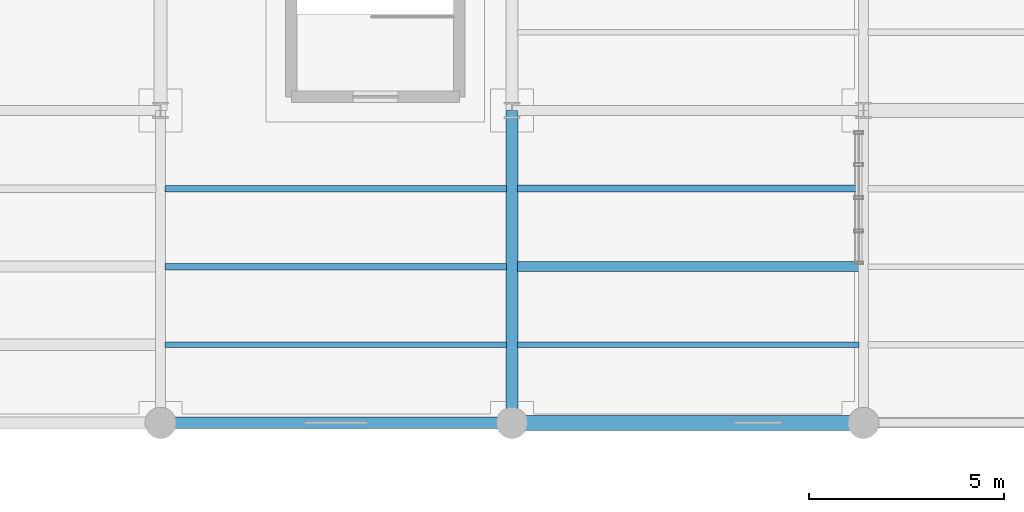
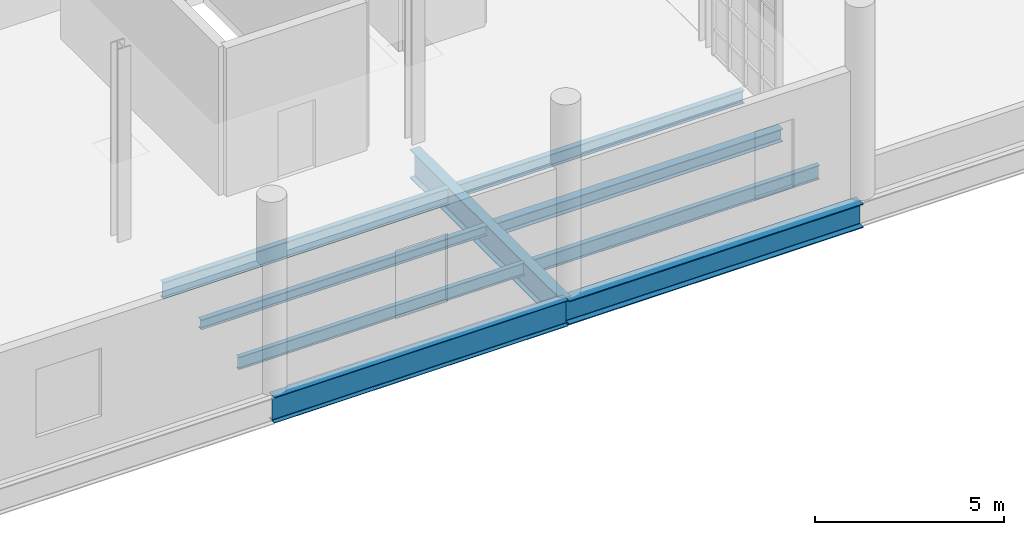
# One storey, part 32 of 118: 9 beams.
"""IFC4 building model written with IfcOpenShell, lengths in metres."""

import ifcopenshell
import ifcopenshell.guid

model = None  # the IFC model being written
_history = None  # IfcOwnerHistory: only IFC2X3 demands one
_inside = {}  # id of a spatial element -> (the spatial element, [elements in it])
_under = {}  # id of a project, library or spatial element -> (it, [spatial elements below it])
_declared = {}  # id of a project -> (the project, [libraries it declares])
_typed = {}  # id of a type object -> (the type object, [elements of that type])
_made_of = {}  # id of a material, layer set ... -> (it, [elements and type objects made of it])


def new_model(schema):
    """Start an empty IFC model of exactly this schema.

    Asked for "IFC4X3", IfcOpenShell would pick the latest addendum, in which some entities
    have other attributes; the version numbers below select the first issue.
    IFC2X3 requires an IfcOwnerHistory on every rooted entity: one is made here for all.
    """
    global model, _history
    if schema == "IFC4X3":
        model = ifcopenshell.file(schema_version=(4, 3, 0, 0))
    else:
        model = ifcopenshell.file(schema=schema)
    _inside.clear()
    _under.clear()
    _declared.clear()
    _typed.clear()
    _made_of.clear()
    _history = None
    if model.schema == "IFC2X3":
        org = make("IfcOrganization", Name="unknown")
        user = make(
            "IfcPersonAndOrganization",
            ThePerson=make("IfcPerson", FamilyName="unknown"),
            TheOrganization=org,
        )
        app = make(
            "IfcApplication",
            ApplicationDeveloper=org,
            Version="unknown",
            ApplicationFullName="unknown",
            ApplicationIdentifier="unknown",
        )
        _history = make(
            "IfcOwnerHistory",
            OwningUser=user,
            OwningApplication=app,
            ChangeAction="ADDED",
            CreationDate=0,
        )
    return model


def make(cls, **values):
    """One entity of the class cls with the attributes given. An attribute that is None is left unset."""
    return model.create_entity(
        cls, **{name: value for name, value in values.items() if value is not None}
    )


def rooted(cls, **values):
    """An entity with a GlobalId (a new one), such as an element, a storey or a relation."""
    return make(cls, GlobalId=ifcopenshell.guid.new(), OwnerHistory=_history, **values)


def si_unit(unit_type, name, prefix=None):
    """IfcSIUnit, for example si_unit("LENGTHUNIT", "METRE", prefix="MILLI")."""
    return make("IfcSIUnit", UnitType=unit_type, Prefix=prefix, Name=name)


def assignment(units):
    """IfcUnitAssignment: the units of a project."""
    return None if units is None else make("IfcUnitAssignment", Units=units)


def point(xyz):
    """IfcCartesianPoint."""
    return None if xyz is None else make("IfcCartesianPoint", Coordinates=xyz)


def direction(xyz):
    """IfcDirection."""
    return None if xyz is None else make("IfcDirection", DirectionRatios=xyz)


def frame(location, z_axis=None, x_axis=None):
    """IfcAxis2Placement3D, a coordinate frame: its origin and axes. An axis left out is left unset."""
    return make(
        "IfcAxis2Placement3D",
        Location=point(location),
        Axis=direction(z_axis),
        RefDirection=direction(x_axis),
    )


def frame_2d(location, x_axis=None):
    """IfcAxis2Placement2D, a coordinate frame in the plane: its origin and x axis."""
    return make(
        "IfcAxis2Placement2D", Location=point(location), RefDirection=direction(x_axis)
    )


def origin():
    """The frame at (0, 0, 0) with its axes left unset."""
    return frame((0.0, 0.0, 0.0))


def origin_2d():
    """The frame at (0, 0) in the plane with its x axis left unset."""
    return frame_2d((0.0, 0.0))


def place(relative_to, where):
    """IfcLocalPlacement: puts the frame where relative to a parent placement (None: the world)."""
    return make(
        "IfcLocalPlacement", PlacementRelTo=relative_to, RelativePlacement=where
    )


def context(
    kind, dimensions, precision=None, world=None, true_north=None, identifier=None
):
    """IfcGeometricRepresentationContext, for example the 3D "Model" context."""
    return make(
        "IfcGeometricRepresentationContext",
        ContextIdentifier=identifier,
        ContextType=kind,
        CoordinateSpaceDimension=dimensions,
        Precision=precision,
        WorldCoordinateSystem=world,
        TrueNorth=true_north,
    )


def subcontext(parent, identifier, kind, view, scale=None):
    """IfcGeometricRepresentationSubContext, for example "Body" below "Model"."""
    return make(
        "IfcGeometricRepresentationSubContext",
        ContextIdentifier=identifier,
        ContextType=kind,
        ParentContext=parent,
        TargetScale=scale,
        TargetView=view,
    )


def project(units=None, contexts=None):
    """IfcProject with its units and contexts."""
    return rooted(
        "IfcProject",
        Name="project",
        RepresentationContexts=contexts,
        UnitsInContext=assignment(units),
    )


def spatial(cls, under=None, at=None, **own):
    """A site, building, storey or space (cls), placed at a placement, below another one or the project."""
    s = rooted(cls, ObjectPlacement=at, **own)
    if under is not None:
        _under.setdefault(under.id(), (under, []))[1].append(s)
    return s


def profile(cls, at=None, kind="AREA", **sizes):
    """A parametric profile (cls). Its sizes go by their IFC names, for example OverallWidth=200.0."""
    return make(cls, ProfileType=kind, Position=at, **sizes)


def i_section(**sizes):
    """IfcIShapeProfileDef."""
    return profile("IfcIShapeProfileDef", **sizes)


def extrude(swept, where, along, depth):
    """IfcExtrudedAreaSolid: the profile swept, set in the frame where, extruded along a direction by depth."""
    return make(
        "IfcExtrudedAreaSolid",
        SweptArea=swept,
        Position=where,
        ExtrudedDirection=direction(along),
        Depth=depth,
    )


def shape(context_of_items, identifier, shape_type, items):
    """IfcShapeRepresentation: the items that make up one representation, for example the "Body"."""
    return make(
        "IfcShapeRepresentation",
        ContextOfItems=context_of_items,
        RepresentationIdentifier=identifier,
        RepresentationType=shape_type,
        Items=items,
    )


def material(Name=None, Category=None):
    """IfcMaterial."""
    return make("IfcMaterial", Name=Name, Category=Category)


def material_profile(
    of_material, cross_section, Name=None, Category=None, Priority=None
):
    """IfcMaterialProfile: a cross section and its material."""
    return make(
        "IfcMaterialProfile",
        Name=Name,
        Material=of_material,
        Profile=cross_section,
        Priority=Priority,
        Category=Category,
    )


def profile_set(profiles, Name=None, composite=None):
    """IfcMaterialProfileSet."""
    return make(
        "IfcMaterialProfileSet",
        Name=Name,
        MaterialProfiles=profiles,
        CompositeProfile=composite,
    )


def made_of(thing, what):
    """Note that an element or type object is made of a material, layer set ...; save() writes the relation."""
    if what is not None:
        _made_of.setdefault(what.id(), (what, []))[1].append(thing)
    return thing


def type_object(cls, material=None, **own):
    """A type object (cls), such as IfcWallType, which elements share."""
    return made_of(rooted(cls, **own), material)


def element(
    cls,
    number,
    at=None,
    inside=None,
    cuts=None,
    type_object=None,
    material=None,
    context=None,
    identifier="Body",
    shape_type=None,
    held_by="IfcProductDefinitionShape",
    body=None,
    shapes=None,
    **own,
):
    """One element of the class cls, such as IfcWall. Its Tag is "e" and its number.

    at: its placement. inside: the storey or other place that contains it. cuts: it is an
    opening in that element (IfcRelVoidsElement). A single representation is given by context,
    identifier, shape_type and body (its items); several are given by shapes. held_by: the class
    of the entity that holds the representations. save() writes the other relations.
    """
    e = rooted(cls, Tag="e%d" % number, ObjectPlacement=at, **own)
    if body is not None:
        shapes = [shape(context, identifier, shape_type, body)]
    if shapes is not None:
        e.Representation = make(held_by, Representations=shapes)
    if inside is not None:
        _inside.setdefault(inside.id(), (inside, []))[1].append(e)
    if cuts is not None:
        rooted(
            "IfcRelVoidsElement", RelatingBuildingElement=cuts, RelatedOpeningElement=e
        )
    if type_object is not None:
        _typed.setdefault(type_object.id(), (type_object, []))[1].append(e)
    return made_of(e, material)


def aggregate(whole, parts):
    """IfcRelAggregates: a whole, such as a stair, and the parts it consists of."""
    return rooted("IfcRelAggregates", RelatingObject=whole, RelatedObjects=parts)


def save(model, path):
    """Write the relations noted so far, then the file.

    IfcRelAggregates (storeys below a building ...), IfcRelContainedInSpatialStructure (elements
    in a storey), IfcRelDefinesByType, IfcRelAssociatesMaterial and IfcRelDeclares: one each for
    every whole, place, type object, material and project.
    """
    for whole, parts in _under.values():
        aggregate(whole, parts)
    for where, things in _inside.values():
        rooted(
            "IfcRelContainedInSpatialStructure",
            RelatedElements=things,
            RelatingStructure=where,
        )
    for kind, things in _typed.values():
        rooted("IfcRelDefinesByType", RelatedObjects=things, RelatingType=kind)
    for what, things in _made_of.values():
        rooted("IfcRelAssociatesMaterial", RelatedObjects=things, RelatingMaterial=what)
    for by, libraries in _declared.values():
        rooted("IfcRelDeclares", RelatingContext=by, RelatedDefinitions=libraries)
    model.write(path)


model = new_model("IFC4")

# Units and contexts
model_context = context("Model", 3, precision=1e-05, world=origin(), true_north=direction((0.0, 1.0)))
body_context = subcontext(model_context, "Body", "Model", "MODEL_VIEW")
ifc_project = project(units=[si_unit("LENGTHUNIT", "METRE"), si_unit("AREAUNIT", "SQUARE_METRE"), si_unit("VOLUMEUNIT", "CUBIC_METRE"), si_unit("PLANEANGLEUNIT", "RADIAN"), si_unit("MASSUNIT", "GRAM", prefix="KILO"), si_unit("THERMODYNAMICTEMPERATUREUNIT", "KELVIN"), si_unit("POWERUNIT", "WATT")], contexts=[model_context])

# Site, building, storey
site_placement = place(None, origin())
site = spatial("IfcSite", under=ifc_project, at=site_placement, CompositionType="ELEMENT")
building_placement = place(site_placement, origin())
building = spatial("IfcBuilding", under=site, at=building_placement, Name="Zelmaris Science Centre", CompositionType="ELEMENT")
storey_placement = place(building_placement, frame((0.0, 0.0, 15.60009765625)))
storey = spatial("IfcBuildingStorey", under=building, at=storey_placement, Name="L03", CompositionType="ELEMENT", Elevation=15.60009765625)

# Beams
ifc_material = material(Name="Steel ASTM A992 Grade 50", Category="steel")
ifc_material_profile_1 = material_profile(ifc_material, i_section(OverallWidth=0.306884765625, OverallDepth=0.927001953125, WebThickness=0.019287109375, FlangeThickness=0.031982421875, FilletRadius=0.02392578125, at=origin_2d()), Name="W36X194")
ifc_profile_set_1 = profile_set([ifc_material_profile_1], Name="Steel ASTM A992 Grade 50")
beam_type_1 = type_object("IfcBeamType", Name="Beam G-03 W36X194", PredefinedType="BEAM", material=ifc_profile_set_1)
beam_1_placement = place(storey_placement, frame((126.0, 8.0, -0.7236328125), z_axis=(0.0, 1.0, 0.0), x_axis=(-1.0, 0.0, 0.0)))
element("IfcBeam", 1, at=beam_1_placement, inside=storey, type_object=beam_type_1, Name="L03 North-south girder 713", PredefinedType="BEAM", context=body_context, shape_type="SweptSolid", body=[
    extrude(i_section(OverallWidth=0.306884765625, OverallDepth=0.927001953125, WebThickness=0.019287109375, FlangeThickness=0.031982421875, FilletRadius=0.02392578125, at=origin_2d()), origin(), (0.0, 0.0, 1.0), 8.0),
])
ifc_material_profile_2 = material_profile(ifc_material, i_section(OverallWidth=0.2919921875, OverallDepth=0.8359375, WebThickness=0.013916015625, FlangeThickness=0.018798828125, FilletRadius=0.02001953125, at=origin_2d()), Name="W33X118")
ifc_profile_set_2 = profile_set([ifc_material_profile_2], Name="Steel ASTM A992 Grade 50")
beam_type_2 = type_object("IfcBeamType", Name="Beam G-30 W33X118", PredefinedType="BEAM", material=ifc_profile_set_2)
beam_2_placement = place(storey_placement, frame((117.0, 8.0, -0.677978515625), z_axis=(1.0, 0.0, 0.0), x_axis=(0.0, 1.0, 0.0)))
element("IfcBeam", 2, at=beam_2_placement, inside=storey, type_object=beam_type_2, Name="L03 East-west girder 732", PredefinedType="BEAM", context=body_context, shape_type="SweptSolid", body=[
    extrude(i_section(OverallWidth=0.2919921875, OverallDepth=0.8359375, WebThickness=0.013916015625, FlangeThickness=0.018798828125, FilletRadius=0.02001953125, at=origin_2d()), origin(), (0.0, 0.0, 1.0), 9.0),
])
ifc_material_profile_3 = material_profile(ifc_material, i_section(OverallWidth=0.381103515625, OverallDepth=0.777099609375, WebThickness=0.01806640625, FlangeThickness=0.030029296875, FilletRadius=0.01904296875, at=origin_2d()), Name="W30X191")
ifc_profile_set_3 = profile_set([ifc_material_profile_3], Name="Steel ASTM A992 Grade 50")
beam_type_3 = type_object("IfcBeamType", Name="Beam G-31 W30X191", PredefinedType="BEAM", material=ifc_profile_set_3)
beam_3_placement = place(storey_placement, frame((126.0, 8.0, -0.648681640625), z_axis=(1.0, 0.0, 0.0), x_axis=(0.0, 1.0, 0.0)))
element("IfcBeam", 3, at=beam_3_placement, inside=storey, type_object=beam_type_3, Name="L03 East-west girder 733", PredefinedType="BEAM", context=body_context, shape_type="SweptSolid", body=[
    extrude(i_section(OverallWidth=0.381103515625, OverallDepth=0.777099609375, WebThickness=0.01806640625, FlangeThickness=0.030029296875, FilletRadius=0.01904296875, at=origin_2d()), origin(), (0.0, 0.0, 1.0), 9.0),
])
ifc_material_profile_4 = material_profile(ifc_material, i_section(OverallWidth=0.16796875, OverallDepth=0.532958984375, WebThickness=0.01025390625, FlangeThickness=0.0166015625, FilletRadius=0.013916015625, at=origin_2d()), Name="W21X57")
ifc_profile_set_4 = profile_set([ifc_material_profile_4], Name="Steel ASTM A992 Grade 50")
beam_type_4 = type_object("IfcBeamType", Name="Beam J-01 W21X57", PredefinedType="JOIST", material=ifc_profile_set_4)
beam_4_placement = place(storey_placement, frame((117.112060546875, 14.0, -0.526611328125), z_axis=(1.0, 0.0, 0.0), x_axis=(0.0, 1.0, 0.0)))
element("IfcBeam", 4, at=beam_4_placement, inside=storey, type_object=beam_type_4, Name="L03 Composite floor joist 351", PredefinedType="JOIST", context=body_context, shape_type="SweptSolid", body=[
    extrude(i_section(OverallWidth=0.16796875, OverallDepth=0.532958984375, WebThickness=0.01025390625, FlangeThickness=0.0166015625, FilletRadius=0.013916015625, at=origin_2d()), origin(), (0.0, 0.0, 1.0), 8.74951171875),
])
ifc_material_profile_5 = material_profile(ifc_material, i_section(OverallWidth=0.152099609375, OverallDepth=0.455078125, WebThickness=0.008056640625, FlangeThickness=0.01318359375, FilletRadius=0.012939453125, at=origin_2d()), Name="W18X40")
ifc_profile_set_5 = profile_set([ifc_material_profile_5], Name="Steel ASTM A992 Grade 50")
beam_type_5 = type_object("IfcBeamType", Name="Beam J-05 W18X40", PredefinedType="JOIST", material=ifc_profile_set_5)
beam_5_placement = place(storey_placement, frame((126.138427734375, 10.0, -0.487548828125), z_axis=(1.0, 0.0, 0.0), x_axis=(0.0, 1.0, 0.0)))
element("IfcBeam", 5, at=beam_5_placement, inside=storey, type_object=beam_type_5, Name="L03 Composite floor joist 364", PredefinedType="JOIST", context=body_context, shape_type="SweptSolid", body=[
    extrude(i_section(OverallWidth=0.152099609375, OverallDepth=0.455078125, WebThickness=0.008056640625, FlangeThickness=0.01318359375, FilletRadius=0.012939453125, at=origin_2d()), origin(), (0.0, 0.0, 1.0), 8.748046875),
])
ifc_material_profile_6 = material_profile(ifc_material, i_section(OverallWidth=0.260009765625, OverallDepth=0.4140625, WebThickness=0.010009765625, FlangeThickness=0.016845703125, FilletRadius=0.011962890625, at=origin_2d()), Name="W16X67")
ifc_profile_set_6 = profile_set([ifc_material_profile_6], Name="Steel ASTM A992 Grade 50")
beam_type_6 = type_object("IfcBeamType", Name="Beam J-06 W16X67", PredefinedType="JOIST", material=ifc_profile_set_6)
beam_6_placement = place(storey_placement, frame((126.138427734375, 12.0, -0.467041015625), z_axis=(1.0, 0.0, 0.0), x_axis=(0.0, 1.0, 0.0)))
element("IfcBeam", 6, at=beam_6_placement, inside=storey, type_object=beam_type_6, Name="L03 Composite floor joist 365", PredefinedType="JOIST", context=body_context, shape_type="SweptSolid", body=[
    extrude(i_section(OverallWidth=0.260009765625, OverallDepth=0.4140625, WebThickness=0.010009765625, FlangeThickness=0.016845703125, FilletRadius=0.011962890625, at=origin_2d()), origin(), (0.0, 0.0, 1.0), 8.748046875),
])
ifc_material_profile_7 = material_profile(ifc_material, i_section(OverallWidth=0.177978515625, OverallDepth=0.408935546875, WebThickness=0.0087890625, FlangeThickness=0.014404296875, FilletRadius=0.011962890625, at=origin_2d()), Name="W16X45")
ifc_profile_set_7 = profile_set([ifc_material_profile_7], Name="Steel ASTM A992 Grade 50")
beam_type_7 = type_object("IfcBeamType", Name="Beam J-07 W16X45", PredefinedType="JOIST", material=ifc_profile_set_7)
beam_7_placement = place(storey_placement, frame((126.138427734375, 14.0, -0.464599609375), z_axis=(1.0, 0.0, 0.0), x_axis=(0.0, 1.0, 0.0)))
element("IfcBeam", 7, at=beam_7_placement, inside=storey, type_object=beam_type_7, Name="L03 Composite floor joist 366", PredefinedType="JOIST", context=body_context, shape_type="SweptSolid", body=[
    extrude(i_section(OverallWidth=0.177978515625, OverallDepth=0.408935546875, WebThickness=0.0087890625, FlangeThickness=0.014404296875, FilletRadius=0.011962890625, at=origin_2d()), origin(), (0.0, 0.0, 1.0), 8.748046875),
])
ifc_material_profile_8 = material_profile(ifc_material, i_section(OverallWidth=0.139892578125, OverallDepth=0.404052734375, WebThickness=0.007080078125, FlangeThickness=0.01123046875, FilletRadius=0.011962890625, at=origin_2d()), Name="W16X31")
ifc_profile_set_8 = profile_set([ifc_material_profile_8], Name="Steel ASTM A992 Grade 50")
beam_type_8 = type_object("IfcBeamType", Name="Beam J-08 W16X31", PredefinedType="JOIST", material=ifc_profile_set_8)
beam_8_placement = place(storey_placement, frame((117.112060546875, 10.0, -0.462158203125), z_axis=(1.0, 0.0, 0.0), x_axis=(0.0, 1.0, 0.0)))
element("IfcBeam", 8, at=beam_8_placement, inside=storey, type_object=beam_type_8, Name="L03 Composite floor joist 349", PredefinedType="JOIST", context=body_context, shape_type="SweptSolid", body=[
    extrude(i_section(OverallWidth=0.139892578125, OverallDepth=0.404052734375, WebThickness=0.007080078125, FlangeThickness=0.01123046875, FilletRadius=0.011962890625, at=origin_2d()), origin(), (0.0, 0.0, 1.0), 8.74951171875),
])
ifc_material_profile_9 = material_profile(ifc_material, i_section(OverallWidth=0.1669921875, OverallDepth=0.318115234375, WebThickness=0.007568359375, FlangeThickness=0.01318359375, FilletRadius=0.011962890625, at=origin_2d()), Name="W12X35")
ifc_profile_set_9 = profile_set([ifc_material_profile_9], Name="Steel ASTM A992 Grade 50")
beam_type_9 = type_object("IfcBeamType", Name="Beam J-09 W12X35", PredefinedType="JOIST", material=ifc_profile_set_9)
beam_9_placement = place(storey_placement, frame((117.112060546875, 12.0, -0.419189453125), z_axis=(1.0, 0.0, 0.0), x_axis=(0.0, 1.0, 0.0)))
element("IfcBeam", 9, at=beam_9_placement, inside=storey, type_object=beam_type_9, Name="L03 Composite floor joist 350", PredefinedType="JOIST", context=body_context, shape_type="SweptSolid", body=[
    extrude(i_section(OverallWidth=0.1669921875, OverallDepth=0.318115234375, WebThickness=0.007568359375, FlangeThickness=0.01318359375, FilletRadius=0.011962890625, at=origin_2d()), origin(), (0.0, 0.0, 1.0), 8.74951171875),
])

save(model, "model.ifc")
